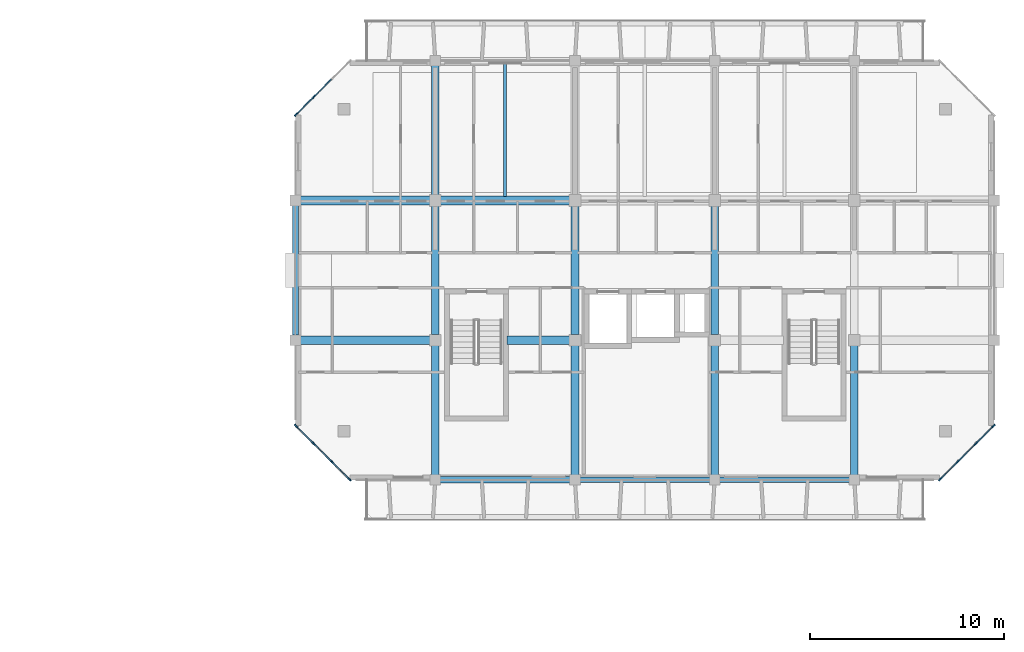
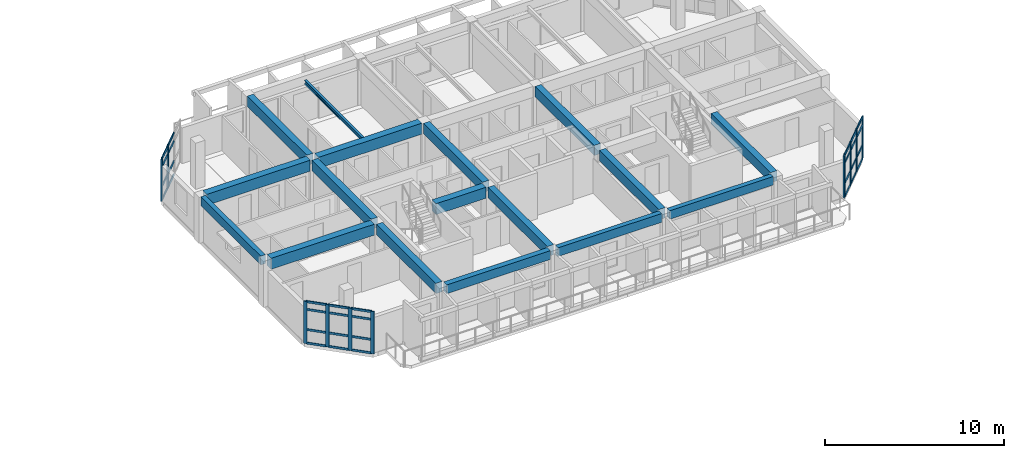
# One storey, part 16 of 64: 42 members, 17 beams, 3 elements without a shape of their own.
"""IFC4 building model written with IfcOpenShell, lengths in metres."""

from ifc_helpers import new_model, si_unit, direction, frame, origin, origin_2d, place, context, subcontext, project, spatial, rectangle, i_section, extrude, material, layer, layer_set, material_profile, profile_set, type_object, element, aggregate, save


model = new_model("IFC4")

# Units and contexts
model_context = context("Model", 3, precision=1e-05, world=origin(), true_north=direction((0.0, 1.0)))
body_context = subcontext(model_context, "Body", "Model", "MODEL_VIEW")
ifc_project = project(units=[si_unit("LENGTHUNIT", "METRE"), si_unit("AREAUNIT", "SQUARE_METRE"), si_unit("VOLUMEUNIT", "CUBIC_METRE"), si_unit("PLANEANGLEUNIT", "RADIAN"), si_unit("MASSUNIT", "GRAM", prefix="KILO")], contexts=[model_context])

# Site, building, storey
site_placement = place(None, origin())
site = spatial("IfcSite", under=ifc_project, at=site_placement, CompositionType="ELEMENT")
building_placement = place(site_placement, origin())
building = spatial("IfcBuilding", under=site, at=building_placement, Name="Ochrevale Crest", CompositionType="ELEMENT")
storey_placement = place(building_placement, frame((0.0, 0.0, 8.699951171875)))
storey = spatial("IfcBuildingStorey", under=building, at=storey_placement, Name="L02", CompositionType="ELEMENT", Elevation=8.699951171875)

# Beams
ifc_material_1 = material(Name="Precast concrete C50/60", Category="concrete")
ifc_material_profile_1 = material_profile(ifc_material_1, rectangle(XDim=0.39990234375, YDim=0.699951171875, at=origin_2d()), Name="PC 400x700")
ifc_profile_set_1 = profile_set([ifc_material_profile_1], Name="Precast concrete C50/60")
beam_type_1 = type_object("IfcBeamType", Name="BM-PC400x700", PredefinedType="BEAM", material=ifc_profile_set_1)
beam_1_placement = place(storey_placement, frame((136.800048828125, 72.2548828125, 2.800048828125), z_axis=(0.0, 1.0, 0.0), x_axis=(-1.0, 0.0, 0.0)))
element("IfcBeam", 1, at=beam_1_placement, inside=storey, type_object=beam_type_1, Name="Block D L02 N-S beam X=136.8", PredefinedType="BEAM", context=body_context, shape_type="SweptSolid", body=[
    extrude(rectangle(XDim=0.39990234375, YDim=0.699951171875, at=origin_2d()), origin(), (0.0, 0.0, 1.0), 6.6650390625),
])
beam_2_placement = place(storey_placement, frame((136.800048828125, 79.47998046875, 2.800048828125), z_axis=(0.0, 1.0, 0.0), x_axis=(-1.0, 0.0, 0.0)))
element("IfcBeam", 2, at=beam_2_placement, inside=storey, type_object=beam_type_1, Name="Block D L02 N-S beam X=136.8", PredefinedType="BEAM", context=body_context, shape_type="SweptSolid", body=[
    extrude(rectangle(XDim=0.39990234375, YDim=0.699951171875, at=origin_2d()), origin(), (0.0, 0.0, 1.0), 6.64013671875),
])
for number, where, z_axis, x_axis, name in (
    (3, (136.800048828125, 86.679931640625, 2.800048828125), (0.0, 1.0, 0.0), (-1.0, 0.0, 0.0), "Block D L02 N-S beam X=136.8"),
    (4, (144.0, 72.2548828125, 2.800048828125), (0.0, 1.0, 0.0), (-1.0, 0.0, 0.0), "Block D L02 N-S beam X=144.0"),
):
    element("IfcBeam", number, at=place(storey_placement, frame(where, z_axis=z_axis, x_axis=x_axis)), inside=storey, type_object=beam_type_1, Name=name, PredefinedType="BEAM", context=body_context, shape_type="SweptSolid", body=[
        extrude(rectangle(XDim=0.39990234375, YDim=0.699951171875, at=origin_2d()), origin(), (0.0, 0.0, 1.0), 6.6650390625),
    ])
beam_3_placement = place(storey_placement, frame((144.0, 79.47998046875, 2.800048828125), z_axis=(0.0, 1.0, 0.0), x_axis=(-1.0, 0.0, 0.0)))
element("IfcBeam", 5, at=beam_3_placement, inside=storey, type_object=beam_type_1, Name="Block D L02 N-S beam X=144.0", PredefinedType="BEAM", context=body_context, shape_type="SweptSolid", body=[
    extrude(rectangle(XDim=0.39990234375, YDim=0.699951171875, at=origin_2d()), origin(), (0.0, 0.0, 1.0), 6.64013671875),
])
beam_4_placement = place(storey_placement, frame((151.199951171875, 72.2548828125, 2.800048828125), z_axis=(0.0, 1.0, 0.0), x_axis=(-1.0, 0.0, 0.0)))
element("IfcBeam", 6, at=beam_4_placement, inside=storey, type_object=beam_type_1, Name="Block D L02 N-S beam X=151.2", PredefinedType="BEAM", context=body_context, shape_type="SweptSolid", body=[
    extrude(rectangle(XDim=0.39990234375, YDim=0.699951171875, at=origin_2d()), origin(), (0.0, 0.0, 1.0), 6.6650390625),
])
beam_5_placement = place(storey_placement, frame((151.199951171875, 79.47998046875, 2.800048828125), z_axis=(0.0, 1.0, 0.0), x_axis=(-1.0, 0.0, 0.0)))
element("IfcBeam", 7, at=beam_5_placement, inside=storey, type_object=beam_type_1, Name="Block D L02 N-S beam X=151.2", PredefinedType="BEAM", context=body_context, shape_type="SweptSolid", body=[
    extrude(rectangle(XDim=0.39990234375, YDim=0.699951171875, at=origin_2d()), origin(), (0.0, 0.0, 1.0), 6.64013671875),
])
beam_6_placement = place(storey_placement, frame((158.39990234375, 72.2548828125, 2.800048828125), z_axis=(0.0, 1.0, 0.0), x_axis=(-1.0, 0.0, 0.0)))
element("IfcBeam", 8, at=beam_6_placement, inside=storey, type_object=beam_type_1, Name="Block D L02 N-S beam X=158.4", PredefinedType="BEAM", context=body_context, shape_type="SweptSolid", body=[
    extrude(rectangle(XDim=0.39990234375, YDim=0.699951171875, at=origin_2d()), origin(), (0.0, 0.0, 1.0), 6.6650390625),
])
ifc_material_2 = material(Name="Concrete C50/60", Category="concrete")
ifc_material_profile_2 = material_profile(ifc_material_2, rectangle(XDim=0.449951171875, YDim=0.75, at=origin_2d()), Name="RC 450x750")
ifc_profile_set_2 = profile_set([ifc_material_profile_2], Name="Concrete C50/60")
beam_type_2 = type_object("IfcBeamType", Name="BM-PG450x750", PredefinedType="USERDEFINED", material=ifc_profile_set_2)
beam_7_placement = place(storey_placement, frame((129.85009765625, 79.199951171875, 2.775146484375), z_axis=(1.0, 0.0, 0.0), x_axis=(0.0, 1.0, 0.0)))
element("IfcBeam", 9, at=beam_7_placement, inside=storey, type_object=beam_type_2, Name="Block D L02 E-W beam Y=79.2", ObjectType="GIRDER", PredefinedType="USERDEFINED", context=body_context, shape_type="SweptSolid", body=[
    extrude(rectangle(XDim=0.449951171875, YDim=0.75, at=origin_2d()), origin(), (0.0, 0.0, 1.0), 6.6748046875),
])
beam_8_placement = place(storey_placement, frame((140.489990234375, 79.199951171875, 2.775146484375), z_axis=(1.0, 0.0, 0.0), x_axis=(0.0, 1.0, 0.0)))
element("IfcBeam", 10, at=beam_8_placement, inside=storey, type_object=beam_type_2, Name="Block D L02 E-W beam Y=79.2", ObjectType="GIRDER", PredefinedType="USERDEFINED", context=body_context, shape_type="SweptSolid", body=[
    extrude(rectangle(XDim=0.449951171875, YDim=0.75, at=origin_2d()), origin(), (0.0, 0.0, 1.0), 3.235107421875),
])
beam_9_placement = place(storey_placement, frame((129.85009765625, 86.39990234375, 2.775146484375), z_axis=(1.0, 0.0, 0.0), x_axis=(0.0, 1.0, 0.0)))
element("IfcBeam", 11, at=beam_9_placement, inside=storey, type_object=beam_type_2, Name="Block D L02 E-W beam Y=86.4", ObjectType="GIRDER", PredefinedType="USERDEFINED", context=body_context, shape_type="SweptSolid", body=[
    extrude(rectangle(XDim=0.449951171875, YDim=0.75, at=origin_2d()), origin(), (0.0, 0.0, 1.0), 6.6748046875),
])
beam_10_placement = place(storey_placement, frame((137.074951171875, 86.39990234375, 2.775146484375), z_axis=(1.0, 0.0, 0.0), x_axis=(0.0, 1.0, 0.0)))
element("IfcBeam", 12, at=beam_10_placement, inside=storey, type_object=beam_type_2, Name="Block D L02 E-W beam Y=86.4", ObjectType="GIRDER", PredefinedType="USERDEFINED", context=body_context, shape_type="SweptSolid", body=[
    extrude(rectangle(XDim=0.449951171875, YDim=0.75, at=origin_2d()), origin(), (0.0, 0.0, 1.0), 6.650146484375),
])
ifc_material_3 = material(Name="Precast concrete C40/50", Category="concrete")
ifc_material_profile_3 = material_profile(ifc_material_3, rectangle(XDim=0.300048828125, YDim=0.580078125, at=origin_2d()), Name="PC 300x580")
ifc_profile_set_3 = profile_set([ifc_material_profile_3], Name="Precast concrete C40/50")
beam_type_3 = type_object("IfcBeamType", Name="BM-SP300x580", PredefinedType="SPANDREL", material=ifc_profile_set_3)
beam_11_placement = place(storey_placement, frame((151.449951171875, 72.0, 2.860107421875), z_axis=(1.0, 0.0, 0.0), x_axis=(0.0, 1.0, 0.0)))
element("IfcBeam", 13, at=beam_11_placement, inside=storey, type_object=beam_type_3, Name="Block D L02 E-W beam Y=72.0", PredefinedType="SPANDREL", context=body_context, shape_type="SweptSolid", body=[
    extrude(rectangle(XDim=0.300048828125, YDim=0.580078125, at=origin_2d()), origin(), (0.0, 0.0, 1.0), 6.699951171875),
])
ifc_material_profile_4 = material_profile(ifc_material_3, rectangle(XDim=0.300048828125, YDim=0.60009765625, at=origin_2d()), Name="PC 300x600")
ifc_profile_set_4 = profile_set([ifc_material_profile_4], Name="Precast concrete C40/50")
beam_type_4 = type_object("IfcBeamType", Name="BM-SP300x600", PredefinedType="SPANDREL", material=ifc_profile_set_4)
beam_12_placement = place(storey_placement, frame((144.25, 72.0, 2.85009765625), z_axis=(1.0, 0.0, 0.0), x_axis=(0.0, 1.0, 0.0)))
element("IfcBeam", 14, at=beam_12_placement, inside=storey, type_object=beam_type_4, Name="Block D L02 E-W beam Y=72.0", PredefinedType="SPANDREL", context=body_context, shape_type="SweptSolid", body=[
    extrude(rectangle(XDim=0.300048828125, YDim=0.60009765625, at=origin_2d()), origin(), (0.0, 0.0, 1.0), 6.699951171875),
])
beam_13_placement = place(storey_placement, frame((129.60009765625, 79.455078125, 2.85009765625), z_axis=(0.0, 1.0, 0.0), x_axis=(-1.0, 0.0, 0.0)))
element("IfcBeam", 15, at=beam_13_placement, inside=storey, type_object=beam_type_4, Name="Block D L02 N-S beam X=129.6", PredefinedType="SPANDREL", context=body_context, shape_type="SweptSolid", body=[
    extrude(rectangle(XDim=0.300048828125, YDim=0.60009765625, at=origin_2d()), origin(), (0.0, 0.0, 1.0), 6.68994140625),
])
ifc_material_profile_5 = material_profile(ifc_material_3, rectangle(XDim=0.35009765625, YDim=0.60009765625, at=origin_2d()), Name="PC 350x600")
ifc_profile_set_5 = profile_set([ifc_material_profile_5], Name="Precast concrete C40/50")
beam_type_5 = type_object("IfcBeamType", Name="BM-SP350x600", PredefinedType="SPANDREL", material=ifc_profile_set_5)
beam_14_placement = place(storey_placement, frame((137.050048828125, 72.0, 2.85009765625), z_axis=(1.0, 0.0, 0.0), x_axis=(0.0, 1.0, 0.0)))
element("IfcBeam", 16, at=beam_14_placement, inside=storey, type_object=beam_type_5, Name="Block D L02 E-W beam Y=72.0", PredefinedType="SPANDREL", context=body_context, shape_type="SweptSolid", body=[
    extrude(rectangle(XDim=0.35009765625, YDim=0.60009765625, at=origin_2d()), origin(), (0.0, 0.0, 1.0), 6.699951171875),
])
ifc_material_4 = material(Name="Steel S355", Category="steel")
ifc_material_profile_6 = material_profile(ifc_material_4, i_section(OverallWidth=0.146484375, OverallDepth=0.256103515625, WebThickness=0.00634765625, FlangeThickness=0.010986328125, FilletRadius=0.0087890625, at=origin_2d()), Name="250UB37.3")
ifc_profile_set_6 = profile_set([ifc_material_profile_6], Name="Steel S355")
beam_type_6 = type_object("IfcBeamType", Name="BM-UB250B", PredefinedType="JOIST", material=ifc_profile_set_6)
beam_15_placement = place(storey_placement, frame((140.39990234375, 86.613037109375, 2.7470703125), z_axis=(0.0, 1.0, 0.0), x_axis=(-1.0, 0.0, 0.0)))
element("IfcBeam", 17, at=beam_15_placement, inside=storey, type_object=beam_type_6, Name="Block D L02 composite plank trimmer beam 2", PredefinedType="JOIST", context=body_context, shape_type="SweptSolid", body=[
    extrude(i_section(OverallWidth=0.146484375, OverallDepth=0.256103515625, WebThickness=0.00634765625, FlangeThickness=0.010986328125, FilletRadius=0.0087890625, at=origin_2d()), origin(), (0.0, 0.0, 1.0), 6.823974609375),
])

# Curtain wall, members
ifc_material_5 = material(Name="Anodised aluminium 6063-T5", Category="aluminium")
ifc_layer_1 = layer(ifc_material_5, 0.14990234375)
ifc_layer_set_1 = layer_set([ifc_layer_1], Name="Anodised aluminium 6063-T5")
curtain_wall_type_1 = type_object("IfcCurtainWallType", Name="CW-WG-420x285", PredefinedType="NOTDEFINED", material=ifc_layer_set_1)
curtain_wall_1_placement = place(storey_placement, origin())
curtain_wall_1 = element("IfcCurtainWall", 18, at=curtain_wall_1_placement, inside=storey, type_object=curtain_wall_type_1, Name="Block D L02 chamfered corner wintergarden curtain wall 2", PredefinedType="NOTDEFINED")
ifc_material_profile_7 = material_profile(ifc_material_5, rectangle(XDim=0.074951171875, YDim=0.219970703125, at=origin_2d()), Name="ALU 75x220")
ifc_profile_set_7 = profile_set([ifc_material_profile_7], Name="Anodised aluminium 6063-T5")
member_type_1 = type_object("IfcMemberType", Name="CW-MUL-75x220", PredefinedType="MULLION", material=ifc_profile_set_7)
member_1_placement = place(storey_placement, frame((162.826416015625, 72.026611328125, 0.0), z_axis=(0.0, 0.0, 1.0), x_axis=(-0.707106781187, 0.707106781187, 0.0)))
member_1 = element("IfcMember", 19, at=member_1_placement, type_object=member_type_1, Name="CW22 mullion 1", PredefinedType="MULLION", context=body_context, shape_type="SweptSolid", body=[
    extrude(rectangle(XDim=0.074951171875, YDim=0.219970703125, at=origin_2d()), origin(), (0.0, 0.0, 1.0), 2.875),
])
member_2_placement = place(storey_placement, frame((163.7333984375, 72.933349609375, 0.0), z_axis=(0.0, 0.0, 1.0), x_axis=(-0.707106781187, 0.707106781187, 0.0)))
member_2 = element("IfcMember", 20, at=member_2_placement, type_object=member_type_1, Name="CW22 mullion 2", PredefinedType="MULLION", context=body_context, shape_type="SweptSolid", body=[
    extrude(rectangle(XDim=0.074951171875, YDim=0.219970703125, at=origin_2d()), origin(), (0.0, 0.0, 1.0), 2.875),
])
member_3_placement = place(storey_placement, frame((164.666748046875, 73.86669921875, 0.0), z_axis=(0.0, 0.0, 1.0), x_axis=(-0.707106781187, 0.707106781187, 0.0)))
member_3 = element("IfcMember", 21, at=member_3_placement, type_object=member_type_1, Name="CW22 mullion 3", PredefinedType="MULLION", context=body_context, shape_type="SweptSolid", body=[
    extrude(rectangle(XDim=0.074951171875, YDim=0.219970703125, at=origin_2d()), origin(), (0.0, 0.0, 1.0), 2.875),
])
member_4_placement = place(storey_placement, frame((165.573486328125, 74.7734375, 0.0), z_axis=(0.0, 0.0, 1.0), x_axis=(-0.707106781187, 0.707106781187, 0.0)))
member_4 = element("IfcMember", 22, at=member_4_placement, type_object=member_type_1, Name="CW22 mullion 4", PredefinedType="MULLION", context=body_context, shape_type="SweptSolid", body=[
    extrude(rectangle(XDim=0.074951171875, YDim=0.219970703125, at=origin_2d()), origin(), (0.0, 0.0, 1.0), 2.875),
])

ifc_layer_2 = layer(ifc_material_5, 0.14990234375)
ifc_layer_set_2 = layer_set([ifc_layer_2], Name="Anodised aluminium 6063-T5")
curtain_wall_type_2 = type_object("IfcCurtainWallType", Name="CW-WG-360x285", PredefinedType="NOTDEFINED", material=ifc_layer_set_2)
curtain_wall_2_placement = place(storey_placement, origin())
curtain_wall_2 = element("IfcCurtainWall", 23, at=curtain_wall_2_placement, inside=storey, type_object=curtain_wall_type_2, Name="Block D L02 chamfered corner wintergarden curtain wall 6", PredefinedType="NOTDEFINED")
member_5_placement = place(storey_placement, frame((130.533447265625, 91.7333984375, 0.0), z_axis=(0.0, 0.0, 1.0), x_axis=(0.707106781187, -0.707106781187, 0.0)))
member_5 = element("IfcMember", 24, at=member_5_placement, type_object=member_type_1, Name="CW18 mullion 3", PredefinedType="MULLION", context=body_context, shape_type="SweptSolid", body=[
    extrude(rectangle(XDim=0.074951171875, YDim=0.219970703125, at=origin_2d()), origin(), (0.0, 0.0, 1.0), 2.875),
])
member_6_placement = place(storey_placement, frame((129.62646484375, 90.826416015625, 0.0), z_axis=(0.0, 0.0, 1.0), x_axis=(0.707106781187, -0.707106781187, 0.0)))
member_6 = element("IfcMember", 25, at=member_6_placement, type_object=member_type_1, Name="CW18 mullion 4", PredefinedType="MULLION", context=body_context, shape_type="SweptSolid", body=[
    extrude(rectangle(XDim=0.074951171875, YDim=0.219970703125, at=origin_2d()), origin(), (0.0, 0.0, 1.0), 2.875),
])

ifc_layer_3 = layer(ifc_material_5, 0.14990234375)
ifc_layer_set_3 = layer_set([ifc_layer_3], Name="Anodised aluminium 6063-T5")
curtain_wall_type_3 = type_object("IfcCurtainWallType", Name="CW-WG-240x285", PredefinedType="NOTDEFINED", material=ifc_layer_set_3)
curtain_wall_3_placement = place(storey_placement, origin())
curtain_wall_3 = element("IfcCurtainWall", 26, at=curtain_wall_3_placement, inside=storey, type_object=curtain_wall_type_3, Name="Block D L02 chamfered corner wintergarden curtain wall 8", PredefinedType="NOTDEFINED")
member_7_placement = place(storey_placement, frame((129.62646484375, 74.7734375, 0.0), z_axis=(0.0, 0.0, 1.0), x_axis=(0.707106781187, 0.707106781187, 0.0)))
member_7 = element("IfcMember", 27, at=member_7_placement, type_object=member_type_1, Name="CW15 mullion 1", PredefinedType="MULLION", context=body_context, shape_type="SweptSolid", body=[
    extrude(rectangle(XDim=0.074951171875, YDim=0.219970703125, at=origin_2d()), origin(), (0.0, 0.0, 1.0), 2.875),
])
member_8_placement = place(storey_placement, frame((130.533447265625, 73.86669921875, 0.0), z_axis=(0.0, 0.0, 1.0), x_axis=(0.707106781187, 0.707106781187, 0.0)))
member_8 = element("IfcMember", 28, at=member_8_placement, type_object=member_type_1, Name="CW15 mullion 2", PredefinedType="MULLION", context=body_context, shape_type="SweptSolid", body=[
    extrude(rectangle(XDim=0.074951171875, YDim=0.219970703125, at=origin_2d()), origin(), (0.0, 0.0, 1.0), 2.875),
])
member_9_placement = place(storey_placement, frame((131.466552734375, 72.933349609375, 0.0), z_axis=(0.0, 0.0, 1.0), x_axis=(0.707106781187, 0.707106781187, 0.0)))
member_9 = element("IfcMember", 29, at=member_9_placement, type_object=member_type_1, Name="CW15 mullion 3", PredefinedType="MULLION", context=body_context, shape_type="SweptSolid", body=[
    extrude(rectangle(XDim=0.074951171875, YDim=0.219970703125, at=origin_2d()), origin(), (0.0, 0.0, 1.0), 2.875),
])
member_10_placement = place(storey_placement, frame((132.37353515625, 72.026611328125, 0.0), z_axis=(0.0, 0.0, 1.0), x_axis=(0.707106781187, 0.707106781187, 0.0)))
member_10 = element("IfcMember", 30, at=member_10_placement, type_object=member_type_1, Name="CW15 mullion 4", PredefinedType="MULLION", context=body_context, shape_type="SweptSolid", body=[
    extrude(rectangle(XDim=0.074951171875, YDim=0.219970703125, at=origin_2d()), origin(), (0.0, 0.0, 1.0), 2.875),
])

# Member
ifc_material_profile_8 = material_profile(ifc_material_5, rectangle(XDim=0.06005859375, YDim=0.14990234375, at=origin_2d()), Name="ALU 60x150")
ifc_profile_set_8 = profile_set([ifc_material_profile_8], Name="Anodised aluminium 6063-T5")
member_type_2 = type_object("IfcMemberType", Name="CW-TRN-60x150", PredefinedType="USERDEFINED", material=ifc_profile_set_8)
member_11_placement = place(storey_placement, frame((162.85302734375, 72.052978515625, 0.030029296875), z_axis=(0.707106781187, 0.707106781187, 0.0), x_axis=(-0.707106781187, 0.707106781187, 0.0)))
member_11 = element("IfcMember", 31, at=member_11_placement, type_object=member_type_2, Name="CW22 transom 1.1", ObjectType="TRANSOM", PredefinedType="USERDEFINED", context=body_context, shape_type="SweptSolid", body=[
    extrude(rectangle(XDim=0.06005859375, YDim=0.14990234375, at=origin_2d()), origin(), (0.0, 0.0, 1.0), 1.20751953125),
])

member_12_placement = place(storey_placement, frame((162.85302734375, 72.052978515625, 0.949951171875), z_axis=(0.707106781187, 0.707106781187, 0.0), x_axis=(-0.707106781187, 0.707106781187, 0.0)))
member_12 = element("IfcMember", 32, at=member_12_placement, type_object=member_type_2, Name="CW22 transom 1.2", ObjectType="TRANSOM", PredefinedType="USERDEFINED", context=body_context, shape_type="SweptSolid", body=[
    extrude(rectangle(XDim=0.06005859375, YDim=0.14990234375, at=origin_2d()), origin(), (0.0, 0.0, 1.0), 1.20751953125),
])

member_13_placement = place(storey_placement, frame((162.85302734375, 72.052978515625, 2.324951171875), z_axis=(0.707106781187, 0.707106781187, 0.0), x_axis=(-0.707106781187, 0.707106781187, 0.0)))
member_13 = element("IfcMember", 33, at=member_13_placement, type_object=member_type_2, Name="CW22 transom 1.3", ObjectType="TRANSOM", PredefinedType="USERDEFINED", context=body_context, shape_type="SweptSolid", body=[
    extrude(rectangle(XDim=0.06005859375, YDim=0.14990234375, at=origin_2d()), origin(), (0.0, 0.0, 1.0), 1.20751953125),
])

member_14_placement = place(storey_placement, frame((162.85302734375, 72.052978515625, 2.844970703125), z_axis=(0.707106781187, 0.707106781187, 0.0), x_axis=(-0.707106781187, 0.707106781187, 0.0)))
member_14 = element("IfcMember", 34, at=member_14_placement, type_object=member_type_2, Name="CW22 transom 1.4", ObjectType="TRANSOM", PredefinedType="USERDEFINED", context=body_context, shape_type="SweptSolid", body=[
    extrude(rectangle(XDim=0.06005859375, YDim=0.14990234375, at=origin_2d()), origin(), (0.0, 0.0, 1.0), 1.20751953125),
])

member_15_placement = place(storey_placement, frame((163.759765625, 72.9599609375, 0.030029296875), z_axis=(0.707204833848, 0.707008714926, 0.0), x_axis=(-0.707008714926, 0.707204833848, 0.0)))
member_15 = element("IfcMember", 35, at=member_15_placement, type_object=member_type_2, Name="CW22 transom 2.1", ObjectType="TRANSOM", PredefinedType="USERDEFINED", context=body_context, shape_type="SweptSolid", body=[
    extrude(rectangle(XDim=0.06005859375, YDim=0.14990234375, at=origin_2d()), origin(), (0.0, 0.0, 1.0), 1.244873046875),
])

member_16_placement = place(storey_placement, frame((163.759765625, 72.9599609375, 0.949951171875), z_axis=(0.707204833848, 0.707008714926, 0.0), x_axis=(-0.707008714926, 0.707204833848, 0.0)))
member_16 = element("IfcMember", 36, at=member_16_placement, type_object=member_type_2, Name="CW22 transom 2.2", ObjectType="TRANSOM", PredefinedType="USERDEFINED", context=body_context, shape_type="SweptSolid", body=[
    extrude(rectangle(XDim=0.06005859375, YDim=0.14990234375, at=origin_2d()), origin(), (0.0, 0.0, 1.0), 1.244873046875),
])

member_17_placement = place(storey_placement, frame((163.759765625, 72.9599609375, 2.324951171875), z_axis=(0.707204833848, 0.707008714926, 0.0), x_axis=(-0.707008714926, 0.707204833848, 0.0)))
member_17 = element("IfcMember", 37, at=member_17_placement, type_object=member_type_2, Name="CW22 transom 2.3", ObjectType="TRANSOM", PredefinedType="USERDEFINED", context=body_context, shape_type="SweptSolid", body=[
    extrude(rectangle(XDim=0.06005859375, YDim=0.14990234375, at=origin_2d()), origin(), (0.0, 0.0, 1.0), 1.244873046875),
])

member_18_placement = place(storey_placement, frame((163.759765625, 72.9599609375, 2.844970703125), z_axis=(0.707204833848, 0.707008714926, 0.0), x_axis=(-0.707008714926, 0.707204833848, 0.0)))
member_18 = element("IfcMember", 38, at=member_18_placement, type_object=member_type_2, Name="CW22 transom 2.4", ObjectType="TRANSOM", PredefinedType="USERDEFINED", context=body_context, shape_type="SweptSolid", body=[
    extrude(rectangle(XDim=0.06005859375, YDim=0.14990234375, at=origin_2d()), origin(), (0.0, 0.0, 1.0), 1.244873046875),
])

member_19_placement = place(storey_placement, frame((164.693115234375, 73.89306640625, 0.030029296875), z_axis=(0.707005686502, 0.70720786142, 0.0), x_axis=(-0.70720786142, 0.707005686502, 0.0)))
member_19 = element("IfcMember", 39, at=member_19_placement, type_object=member_type_2, Name="CW22 transom 3.1", ObjectType="TRANSOM", PredefinedType="USERDEFINED", context=body_context, shape_type="SweptSolid", body=[
    extrude(rectangle(XDim=0.06005859375, YDim=0.14990234375, at=origin_2d()), origin(), (0.0, 0.0, 1.0), 1.20751953125),
])

member_20_placement = place(storey_placement, frame((164.693115234375, 73.89306640625, 0.949951171875), z_axis=(0.707005686502, 0.70720786142, 0.0), x_axis=(-0.70720786142, 0.707005686502, 0.0)))
member_20 = element("IfcMember", 40, at=member_20_placement, type_object=member_type_2, Name="CW22 transom 3.2", ObjectType="TRANSOM", PredefinedType="USERDEFINED", context=body_context, shape_type="SweptSolid", body=[
    extrude(rectangle(XDim=0.06005859375, YDim=0.14990234375, at=origin_2d()), origin(), (0.0, 0.0, 1.0), 1.20751953125),
])

member_21_placement = place(storey_placement, frame((164.693115234375, 73.89306640625, 2.324951171875), z_axis=(0.707005686502, 0.70720786142, 0.0), x_axis=(-0.70720786142, 0.707005686502, 0.0)))
member_21 = element("IfcMember", 41, at=member_21_placement, type_object=member_type_2, Name="CW22 transom 3.3", ObjectType="TRANSOM", PredefinedType="USERDEFINED", context=body_context, shape_type="SweptSolid", body=[
    extrude(rectangle(XDim=0.06005859375, YDim=0.14990234375, at=origin_2d()), origin(), (0.0, 0.0, 1.0), 1.20751953125),
])

member_22_placement = place(storey_placement, frame((164.693115234375, 73.89306640625, 2.844970703125), z_axis=(0.707005686502, 0.70720786142, 0.0), x_axis=(-0.70720786142, 0.707005686502, 0.0)))
member_22 = element("IfcMember", 42, at=member_22_placement, type_object=member_type_2, Name="CW22 transom 3.4", ObjectType="TRANSOM", PredefinedType="USERDEFINED", context=body_context, shape_type="SweptSolid", body=[
    extrude(rectangle(XDim=0.06005859375, YDim=0.14990234375, at=origin_2d()), origin(), (0.0, 0.0, 1.0), 1.20751953125),
])

aggregate(curtain_wall_1, [member_1, member_2, member_3, member_4, member_11, member_12, member_13, member_14, member_15, member_16, member_17, member_18, member_19, member_20, member_21, member_22])

member_23_placement = place(storey_placement, frame((131.440185546875, 92.64013671875, 0.030029296875), z_axis=(-0.707106781187, -0.707106781187, 0.0), x_axis=(0.707106781187, -0.707106781187, 0.0)))
member_23 = element("IfcMember", 43, at=member_23_placement, type_object=member_type_2, Name="CW18 transom 2.1", ObjectType="TRANSOM", PredefinedType="USERDEFINED", context=body_context, shape_type="SweptSolid", body=[
    extrude(rectangle(XDim=0.06005859375, YDim=0.14990234375, at=origin_2d()), origin(), (0.0, 0.0, 1.0), 1.2451171875),
])

member_24_placement = place(storey_placement, frame((131.440185546875, 92.64013671875, 0.949951171875), z_axis=(-0.707106781187, -0.707106781187, 0.0), x_axis=(0.707106781187, -0.707106781187, 0.0)))
member_24 = element("IfcMember", 44, at=member_24_placement, type_object=member_type_2, Name="CW18 transom 2.2", ObjectType="TRANSOM", PredefinedType="USERDEFINED", context=body_context, shape_type="SweptSolid", body=[
    extrude(rectangle(XDim=0.06005859375, YDim=0.14990234375, at=origin_2d()), origin(), (0.0, 0.0, 1.0), 1.2451171875),
])

member_25_placement = place(storey_placement, frame((131.440185546875, 92.64013671875, 2.324951171875), z_axis=(-0.707106781187, -0.707106781187, 0.0), x_axis=(0.707106781187, -0.707106781187, 0.0)))
member_25 = element("IfcMember", 45, at=member_25_placement, type_object=member_type_2, Name="CW18 transom 2.3", ObjectType="TRANSOM", PredefinedType="USERDEFINED", context=body_context, shape_type="SweptSolid", body=[
    extrude(rectangle(XDim=0.06005859375, YDim=0.14990234375, at=origin_2d()), origin(), (0.0, 0.0, 1.0), 1.2451171875),
])

member_26_placement = place(storey_placement, frame((131.440185546875, 92.64013671875, 2.844970703125), z_axis=(-0.707106781187, -0.707106781187, 0.0), x_axis=(0.707106781187, -0.707106781187, 0.0)))
member_26 = element("IfcMember", 46, at=member_26_placement, type_object=member_type_2, Name="CW18 transom 2.4", ObjectType="TRANSOM", PredefinedType="USERDEFINED", context=body_context, shape_type="SweptSolid", body=[
    extrude(rectangle(XDim=0.06005859375, YDim=0.14990234375, at=origin_2d()), origin(), (0.0, 0.0, 1.0), 1.2451171875),
])

member_27_placement = place(storey_placement, frame((130.5068359375, 91.706787109375, 0.030029296875), z_axis=(-0.707106781187, -0.707106781187, 0.0), x_axis=(0.707106781187, -0.707106781187, 0.0)))
member_27 = element("IfcMember", 47, at=member_27_placement, type_object=member_type_2, Name="CW18 transom 3.1", ObjectType="TRANSOM", PredefinedType="USERDEFINED", context=body_context, shape_type="SweptSolid", body=[
    extrude(rectangle(XDim=0.06005859375, YDim=0.14990234375, at=origin_2d()), origin(), (0.0, 0.0, 1.0), 1.20751953125),
])

member_28_placement = place(storey_placement, frame((130.5068359375, 91.706787109375, 0.949951171875), z_axis=(-0.707106781187, -0.707106781187, 0.0), x_axis=(0.707106781187, -0.707106781187, 0.0)))
member_28 = element("IfcMember", 48, at=member_28_placement, type_object=member_type_2, Name="CW18 transom 3.2", ObjectType="TRANSOM", PredefinedType="USERDEFINED", context=body_context, shape_type="SweptSolid", body=[
    extrude(rectangle(XDim=0.06005859375, YDim=0.14990234375, at=origin_2d()), origin(), (0.0, 0.0, 1.0), 1.20751953125),
])

member_29_placement = place(storey_placement, frame((130.5068359375, 91.706787109375, 2.324951171875), z_axis=(-0.707106781187, -0.707106781187, 0.0), x_axis=(0.707106781187, -0.707106781187, 0.0)))
member_29 = element("IfcMember", 49, at=member_29_placement, type_object=member_type_2, Name="CW18 transom 3.3", ObjectType="TRANSOM", PredefinedType="USERDEFINED", context=body_context, shape_type="SweptSolid", body=[
    extrude(rectangle(XDim=0.06005859375, YDim=0.14990234375, at=origin_2d()), origin(), (0.0, 0.0, 1.0), 1.20751953125),
])

member_30_placement = place(storey_placement, frame((130.5068359375, 91.706787109375, 2.844970703125), z_axis=(-0.707106781187, -0.707106781187, 0.0), x_axis=(0.707106781187, -0.707106781187, 0.0)))
member_30 = element("IfcMember", 50, at=member_30_placement, type_object=member_type_2, Name="CW18 transom 3.4", ObjectType="TRANSOM", PredefinedType="USERDEFINED", context=body_context, shape_type="SweptSolid", body=[
    extrude(rectangle(XDim=0.06005859375, YDim=0.14990234375, at=origin_2d()), origin(), (0.0, 0.0, 1.0), 1.20751953125),
])

aggregate(curtain_wall_2, [member_5, member_6, member_23, member_24, member_25, member_26, member_27, member_28, member_29, member_30])

member_31_placement = place(storey_placement, frame((129.653076171875, 74.7470703125, 0.030029296875), z_axis=(0.707005686502, -0.70720786142, 0.0), x_axis=(0.70720786142, 0.707005686502, 0.0)))
member_31 = element("IfcMember", 51, at=member_31_placement, type_object=member_type_2, Name="CW15 transom 1.1", ObjectType="TRANSOM", PredefinedType="USERDEFINED", context=body_context, shape_type="SweptSolid", body=[
    extrude(rectangle(XDim=0.06005859375, YDim=0.14990234375, at=origin_2d()), origin(), (0.0, 0.0, 1.0), 1.20751953125),
])

member_32_placement = place(storey_placement, frame((129.653076171875, 74.7470703125, 0.949951171875), z_axis=(0.707005686502, -0.70720786142, 0.0), x_axis=(0.70720786142, 0.707005686502, 0.0)))
member_32 = element("IfcMember", 52, at=member_32_placement, type_object=member_type_2, Name="CW15 transom 1.2", ObjectType="TRANSOM", PredefinedType="USERDEFINED", context=body_context, shape_type="SweptSolid", body=[
    extrude(rectangle(XDim=0.06005859375, YDim=0.14990234375, at=origin_2d()), origin(), (0.0, 0.0, 1.0), 1.20751953125),
])

member_33_placement = place(storey_placement, frame((129.653076171875, 74.7470703125, 2.324951171875), z_axis=(0.707005686502, -0.70720786142, 0.0), x_axis=(0.70720786142, 0.707005686502, 0.0)))
member_33 = element("IfcMember", 53, at=member_33_placement, type_object=member_type_2, Name="CW15 transom 1.3", ObjectType="TRANSOM", PredefinedType="USERDEFINED", context=body_context, shape_type="SweptSolid", body=[
    extrude(rectangle(XDim=0.06005859375, YDim=0.14990234375, at=origin_2d()), origin(), (0.0, 0.0, 1.0), 1.20751953125),
])

member_34_placement = place(storey_placement, frame((129.653076171875, 74.7470703125, 2.844970703125), z_axis=(0.707005686502, -0.70720786142, 0.0), x_axis=(0.70720786142, 0.707005686502, 0.0)))
member_34 = element("IfcMember", 54, at=member_34_placement, type_object=member_type_2, Name="CW15 transom 1.4", ObjectType="TRANSOM", PredefinedType="USERDEFINED", context=body_context, shape_type="SweptSolid", body=[
    extrude(rectangle(XDim=0.06005859375, YDim=0.14990234375, at=origin_2d()), origin(), (0.0, 0.0, 1.0), 1.20751953125),
])

member_35_placement = place(storey_placement, frame((130.559814453125, 73.840087890625, 0.030029296875), z_axis=(0.707204833848, -0.707008714926, 0.0), x_axis=(0.707008714926, 0.707204833848, 0.0)))
member_35 = element("IfcMember", 55, at=member_35_placement, type_object=member_type_2, Name="CW15 transom 2.1", ObjectType="TRANSOM", PredefinedType="USERDEFINED", context=body_context, shape_type="SweptSolid", body=[
    extrude(rectangle(XDim=0.06005859375, YDim=0.14990234375, at=origin_2d()), origin(), (0.0, 0.0, 1.0), 1.244873046875),
])

member_36_placement = place(storey_placement, frame((130.559814453125, 73.840087890625, 0.949951171875), z_axis=(0.707204833848, -0.707008714926, 0.0), x_axis=(0.707008714926, 0.707204833848, 0.0)))
member_36 = element("IfcMember", 56, at=member_36_placement, type_object=member_type_2, Name="CW15 transom 2.2", ObjectType="TRANSOM", PredefinedType="USERDEFINED", context=body_context, shape_type="SweptSolid", body=[
    extrude(rectangle(XDim=0.06005859375, YDim=0.14990234375, at=origin_2d()), origin(), (0.0, 0.0, 1.0), 1.244873046875),
])

member_37_placement = place(storey_placement, frame((130.559814453125, 73.840087890625, 2.324951171875), z_axis=(0.707204833848, -0.707008714926, 0.0), x_axis=(0.707008714926, 0.707204833848, 0.0)))
member_37 = element("IfcMember", 57, at=member_37_placement, type_object=member_type_2, Name="CW15 transom 2.3", ObjectType="TRANSOM", PredefinedType="USERDEFINED", context=body_context, shape_type="SweptSolid", body=[
    extrude(rectangle(XDim=0.06005859375, YDim=0.14990234375, at=origin_2d()), origin(), (0.0, 0.0, 1.0), 1.244873046875),
])

member_38_placement = place(storey_placement, frame((130.559814453125, 73.840087890625, 2.844970703125), z_axis=(0.707204833848, -0.707008714926, 0.0), x_axis=(0.707008714926, 0.707204833848, 0.0)))
member_38 = element("IfcMember", 58, at=member_38_placement, type_object=member_type_2, Name="CW15 transom 2.4", ObjectType="TRANSOM", PredefinedType="USERDEFINED", context=body_context, shape_type="SweptSolid", body=[
    extrude(rectangle(XDim=0.06005859375, YDim=0.14990234375, at=origin_2d()), origin(), (0.0, 0.0, 1.0), 1.244873046875),
])

member_39_placement = place(storey_placement, frame((131.4931640625, 72.90673828125, 0.030029296875), z_axis=(0.707106781187, -0.707106781187, 0.0), x_axis=(0.707106781187, 0.707106781187, 0.0)))
member_39 = element("IfcMember", 59, at=member_39_placement, type_object=member_type_2, Name="CW15 transom 3.1", ObjectType="TRANSOM", PredefinedType="USERDEFINED", context=body_context, shape_type="SweptSolid", body=[
    extrude(rectangle(XDim=0.06005859375, YDim=0.14990234375, at=origin_2d()), origin(), (0.0, 0.0, 1.0), 1.20751953125),
])

member_40_placement = place(storey_placement, frame((131.4931640625, 72.90673828125, 0.949951171875), z_axis=(0.707106781187, -0.707106781187, 0.0), x_axis=(0.707106781187, 0.707106781187, 0.0)))
member_40 = element("IfcMember", 60, at=member_40_placement, type_object=member_type_2, Name="CW15 transom 3.2", ObjectType="TRANSOM", PredefinedType="USERDEFINED", context=body_context, shape_type="SweptSolid", body=[
    extrude(rectangle(XDim=0.06005859375, YDim=0.14990234375, at=origin_2d()), origin(), (0.0, 0.0, 1.0), 1.20751953125),
])

member_41_placement = place(storey_placement, frame((131.4931640625, 72.90673828125, 2.324951171875), z_axis=(0.707106781187, -0.707106781187, 0.0), x_axis=(0.707106781187, 0.707106781187, 0.0)))
member_41 = element("IfcMember", 61, at=member_41_placement, type_object=member_type_2, Name="CW15 transom 3.3", ObjectType="TRANSOM", PredefinedType="USERDEFINED", context=body_context, shape_type="SweptSolid", body=[
    extrude(rectangle(XDim=0.06005859375, YDim=0.14990234375, at=origin_2d()), origin(), (0.0, 0.0, 1.0), 1.20751953125),
])

member_42_placement = place(storey_placement, frame((131.4931640625, 72.90673828125, 2.844970703125), z_axis=(0.707106781187, -0.707106781187, 0.0), x_axis=(0.707106781187, 0.707106781187, 0.0)))
member_42 = element("IfcMember", 62, at=member_42_placement, type_object=member_type_2, Name="CW15 transom 3.4", ObjectType="TRANSOM", PredefinedType="USERDEFINED", context=body_context, shape_type="SweptSolid", body=[
    extrude(rectangle(XDim=0.06005859375, YDim=0.14990234375, at=origin_2d()), origin(), (0.0, 0.0, 1.0), 1.20751953125),
])

aggregate(curtain_wall_3, [member_7, member_8, member_9, member_10, member_31, member_32, member_33, member_34, member_35, member_36, member_37, member_38, member_39, member_40, member_41, member_42])

save(model, "model.ifc")
